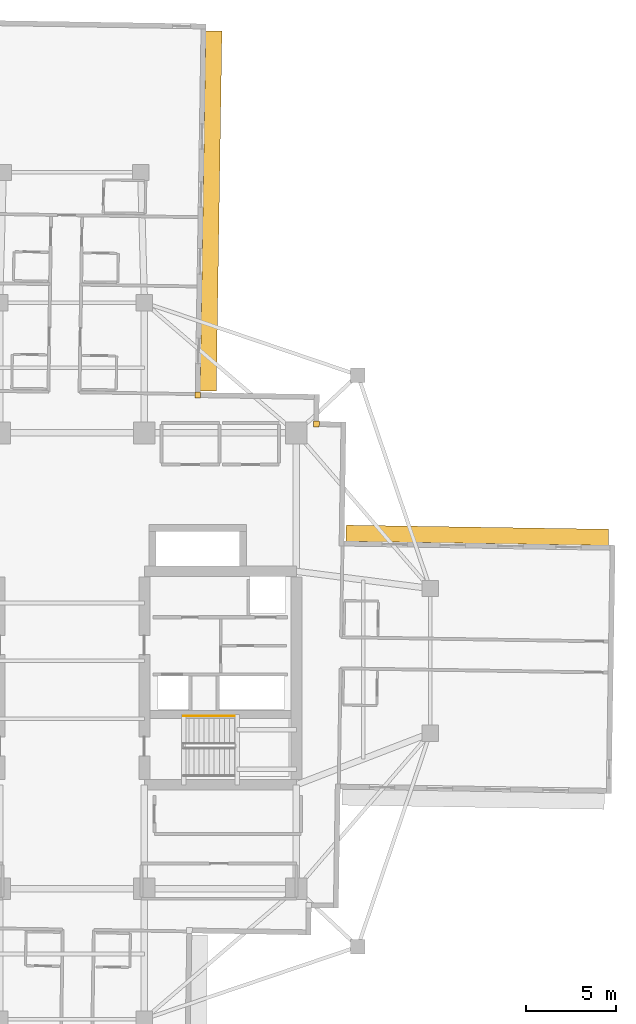
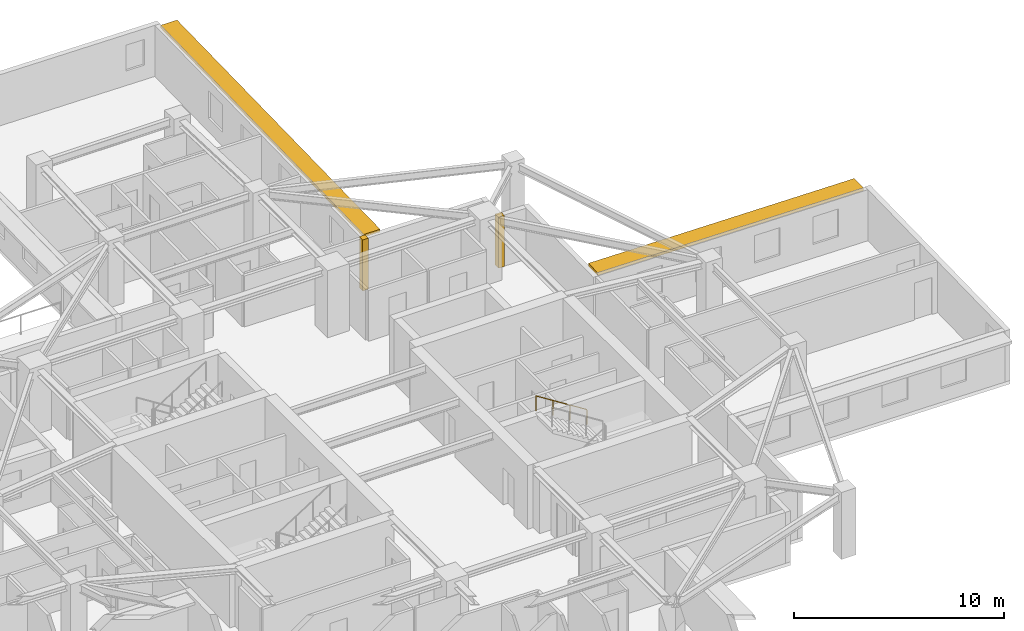
# One storey, part 13 of 13: 2 coverings, 2 shading devices, 1 railing.
"""IFC4 building model written with IfcOpenShell, lengths in metres."""

from ifc_helpers import new_model, si_unit, direction, frame, origin, origin_2d, place, context, subcontext, project, spatial, rectangle, circle, extrude, material, layer, layer_set, type_object, element, save


model = new_model("IFC4")

# Units and contexts
model_context = context("Model", 3, precision=1e-05, world=origin(), true_north=direction((0.0, 1.0)))
body_context = subcontext(model_context, "Body", "Model", "MODEL_VIEW")
ifc_project = project(units=[si_unit("LENGTHUNIT", "METRE"), si_unit("AREAUNIT", "SQUARE_METRE"), si_unit("VOLUMEUNIT", "CUBIC_METRE"), si_unit("PLANEANGLEUNIT", "RADIAN"), si_unit("MASSUNIT", "GRAM", prefix="KILO")], contexts=[model_context])

# Site, building, storey
site_placement = place(None, origin())
site = spatial("IfcSite", under=ifc_project, at=site_placement, CompositionType="ELEMENT")
building_placement = place(site_placement, origin())
building = spatial("IfcBuilding", under=site, at=building_placement, Name="Qingluan Cross Belvedere", CompositionType="ELEMENT")
storey_placement = place(building_placement, frame((0.0, 0.0, 148.800048828125)))
storey = spatial("IfcBuildingStorey", under=building, at=storey_placement, Name="L37", CompositionType="ELEMENT", Elevation=148.800048828125)

# Coverings
ifc_material_1 = material(Name="Precast concrete C45", Category="concrete")
ifc_layer_1 = layer(ifc_material_1, 0.1201171875, Name="ConcreteSpandrelCladding_120")
ifc_layer_set_1 = layer_set([ifc_layer_1], Name="Precast concrete C45")
covering_type = type_object("IfcCoveringType", Name="ConcreteSpandrelCladding_120", PredefinedType="CLADDING", material=ifc_layer_set_1)
for number, where, z_axis, x_axis, name in (
    (1, (13.50732421875, 13.089599609375, 0.0), (0.0, 0.0, 1.0), (0.999876632482, -0.015707317312, 0.0), "Corner closure L37-NE1"),
    (2, (6.95166015625, 14.692626953125, 0.0), (0.0, 0.0, 1.0), (0.999876632482, -0.015707317312, 0.0), "Corner closure L37-NE2"),
):
    element("IfcCovering", number, at=place(storey_placement, frame(where, z_axis=z_axis, x_axis=x_axis)), inside=storey, type_object=covering_type, Name=name, PredefinedType="CLADDING", context=body_context, shape_type="SweptSolid", body=[
        extrude(rectangle(XDim=0.320068359375, YDim=0.320068359375, at=origin_2d()), origin(), (0.0, 0.0, 1.0), 2.969970703125),
    ])

# Shading devices
ifc_material_2 = material(Name="Precast concrete C45", Category="concrete")
ifc_layer_2 = layer(ifc_material_2, 0.159912109375, Name="ConcreteSunshadeBand_900")
ifc_layer_set_2 = layer_set([ifc_layer_2], Name="Precast concrete C45")
shading_device_type = type_object("IfcShadingDeviceType", Name="ConcreteSunshadeBand_900", PredefinedType="USERDEFINED", material=ifc_layer_set_2)
shading_device_1_placement = place(storey_placement, frame((22.40185546875, 6.93896484375, 2.7900390625), z_axis=(0.0, 0.0, 1.0), x_axis=(-0.999876630106, 0.015707468526, 0.0)))
element("IfcShadingDevice", 3, at=shading_device_1_placement, inside=storey, type_object=shading_device_type, Name="Concrete SUNSHADE L37-EB", ObjectType="SUNSHADE", PredefinedType="USERDEFINED", context=body_context, shape_type="SweptSolid", body=[
    extrude(rectangle(XDim=14.5, YDim=0.89990234375, at=origin_2d()), origin(), (0.0, 0.0, 1.0), 0.159912109375),
])
shading_device_2_placement = place(storey_placement, frame((7.681640625, 24.872314453125, 2.7900390625), z_axis=(0.0, 0.0, 1.0), x_axis=(0.015711457647, 0.999876567432, 0.0)))
element("IfcShadingDevice", 4, at=shading_device_2_placement, inside=storey, type_object=shading_device_type, Name="Concrete SUNSHADE L37-NA", ObjectType="SUNSHADE", PredefinedType="USERDEFINED", context=body_context, shape_type="SweptSolid", body=[
    extrude(rectangle(XDim=19.89990234375, YDim=0.89990234375, at=origin_2d()), origin(), (0.0, 0.0, 1.0), 0.159912109375),
])

# Railing
ifc_material_3 = material(Name="Brushed stainless steel tubular handrail", Category="steel")
railing_type = type_object("IfcRailingType", Name="StairPitchHandrail_900", PredefinedType="HANDRAIL", material=ifc_material_3)
railing_placement = place(storey_placement, frame((8.97998046875, -3.050048828125, 2.127197265625)))
element("IfcRailing", 5, at=railing_placement, inside=storey, type_object=railing_type, Name="L37 ST2 stair handrail 2", PredefinedType="HANDRAIL", context=body_context, shape_type="SweptSolid", body=[
    extrude(circle(Radius=0.02392578125, at=origin_2d()), frame((0.0, 0.0, 0.8759765625), z_axis=(-0.844908973607, 0.0, 0.534910110503), x_axis=(0.0, -1.0, 0.0)), (0.0, 0.0, 1.0), 3.31396484375),
    extrude(circle(Radius=0.02099609375, at=origin_2d()), origin(), (0.0, 0.0, 1.0), 0.851806640625),
    extrude(circle(Radius=0.02099609375, at=origin_2d()), frame((-0.933349609375, 0.0, 0.5908203125)), (0.0, 0.0, 1.0), 0.851806640625),
    extrude(circle(Radius=0.02099609375, at=origin_2d()), frame((-1.86669921875, 0.0, 1.181884765625)), (0.0, 0.0, 1.0), 0.851806640625),
    extrude(circle(Radius=0.02099609375, at=origin_2d()), frame((-2.800048828125, 0.0, 1.772705078125)), (0.0, 0.0, 1.0), 0.851806640625),
])

save(model, "model.ifc")
